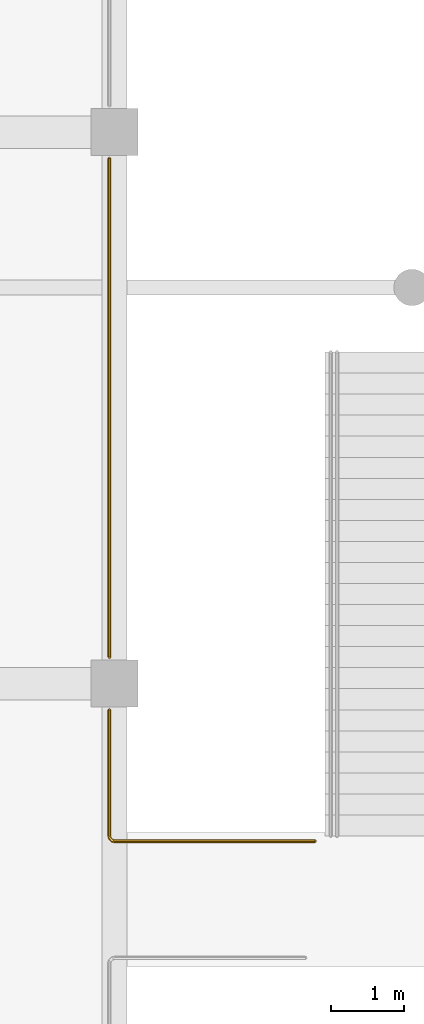
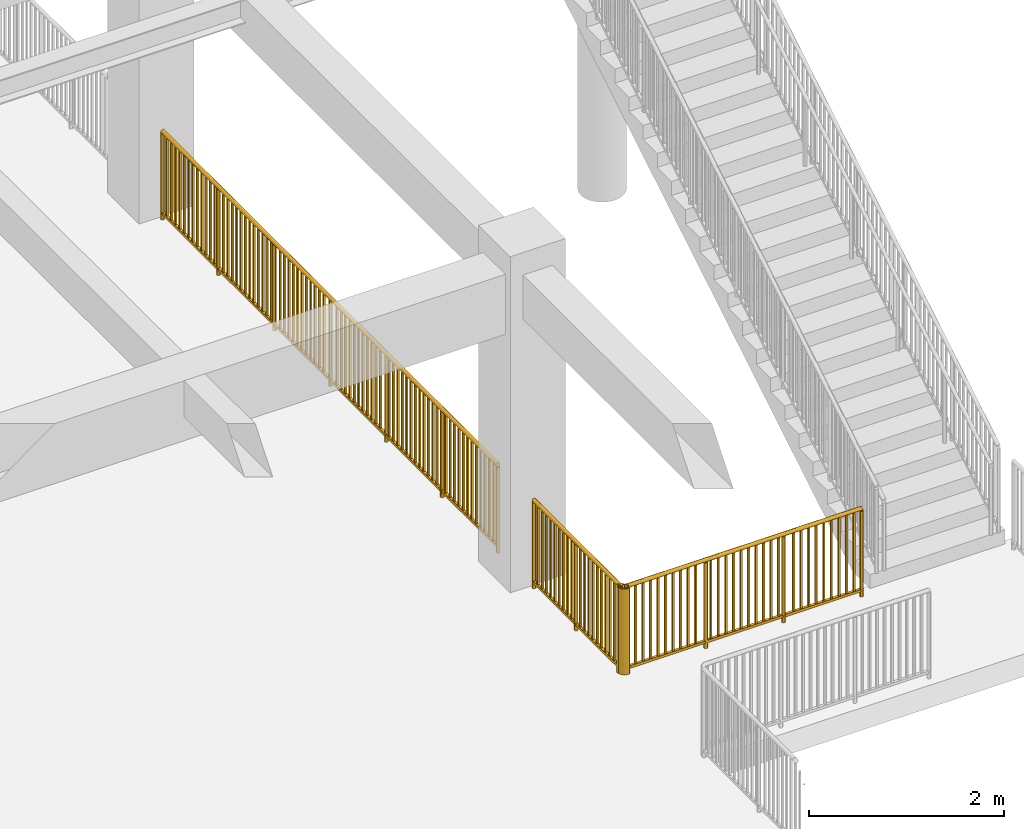
# One storey, part 59 of 63: 2 railings.
"""IFC4 building model written with IfcOpenShell, lengths in metres."""

from ifc_helpers import new_model, si_unit, direction, frame, origin, origin_2d, place, context, subcontext, project, spatial, rectangle, circle, extrude, material, type_object, element, save


model = new_model("IFC4")

# Units and contexts
model_context = context("Model", 3, precision=1e-05, world=origin(), true_north=direction((0.0, 1.0)))
body_context = subcontext(model_context, "Body", "Model", "MODEL_VIEW")
ifc_project = project(units=[si_unit("LENGTHUNIT", "METRE"), si_unit("AREAUNIT", "SQUARE_METRE"), si_unit("VOLUMEUNIT", "CUBIC_METRE"), si_unit("PLANEANGLEUNIT", "RADIAN"), si_unit("MASSUNIT", "GRAM", prefix="KILO")], contexts=[model_context])

# Site, building, storey
site_placement = place(None, origin())
site = spatial("IfcSite", under=ifc_project, at=site_placement, CompositionType="ELEMENT")
building_placement = place(site_placement, origin())
building = spatial("IfcBuilding", under=site, at=building_placement, Name="Zantavel Square City Hall", CompositionType="ELEMENT")
storey_placement = place(building_placement, frame((0.0, 0.0, 14.699951171875)))
storey = spatial("IfcBuildingStorey", under=building, at=storey_placement, Name="L04", CompositionType="ELEMENT", Elevation=14.699951171875)

# Railings
ifc_material = material(Name="Steel ASTM A500 Grade B", Category="steel")
railing_type = type_object("IfcRailingType", Name="Classical Stone & Steel Terrace Balustrade 1100mm", PredefinedType="BALUSTRADE", material=ifc_material)
railing_1_placement = place(storey_placement, frame((111.929931640625, 52.8349609375, 0.0)))
element("IfcRailing", 1, at=railing_1_placement, inside=storey, type_object=railing_type, Name="L04 Terrace Balustrade 044", PredefinedType="BALUSTRADE", context=body_context, shape_type="SweptSolid", body=[
    extrude(circle(Radius=0.02392578125, at=origin_2d()), frame((0.0, 0.0, 1.09619140625), z_axis=(0.0, -1.0, 0.0), x_axis=(1.0, 0.0, 0.0)), (0.0, 0.0, 1.0), 1.73486328125),
    extrude(rectangle(XDim=0.031982421875, YDim=0.031982421875, at=origin_2d()), frame((0.0, 0.0, 0.080078125), z_axis=(0.0, -1.0, 0.0), x_axis=(1.0, 0.0, 0.0)), (0.0, 0.0, 1.0), 1.73486328125),
    extrude(rectangle(XDim=0.02197265625, YDim=0.02197265625, at=origin_2d()), frame((0.0, -0.086669921875, 0.080078125)), (0.0, 0.0, 1.0), 0.991943359375),
    extrude(rectangle(XDim=0.02197265625, YDim=0.02197265625, at=origin_2d()), frame((0.0, -0.173583984375, 0.080078125)), (0.0, 0.0, 1.0), 0.991943359375),
    extrude(rectangle(XDim=0.02197265625, YDim=0.02197265625, at=origin_2d()), frame((0.0, -0.26025390625, 0.080078125)), (0.0, 0.0, 1.0), 0.991943359375),
    extrude(rectangle(XDim=0.02197265625, YDim=0.02197265625, at=origin_2d()), frame((0.0, -0.346923828125, 0.080078125)), (0.0, 0.0, 1.0), 0.991943359375),
    extrude(rectangle(XDim=0.02197265625, YDim=0.02197265625, at=origin_2d()), frame((0.0, -0.43359375, 0.080078125)), (0.0, 0.0, 1.0), 0.991943359375),
    extrude(rectangle(XDim=0.02197265625, YDim=0.02197265625, at=origin_2d()), frame((0.0, -0.5205078125, 0.080078125)), (0.0, 0.0, 1.0), 0.991943359375),
    extrude(rectangle(XDim=0.02197265625, YDim=0.02197265625, at=origin_2d()), frame((0.0, -0.607177734375, 0.080078125)), (0.0, 0.0, 1.0), 0.991943359375),
    extrude(rectangle(XDim=0.02197265625, YDim=0.02197265625, at=origin_2d()), frame((0.0, -0.69384765625, 0.080078125)), (0.0, 0.0, 1.0), 0.991943359375),
    extrude(rectangle(XDim=0.02197265625, YDim=0.02197265625, at=origin_2d()), frame((0.0, -0.78076171875, 0.080078125)), (0.0, 0.0, 1.0), 0.991943359375),
    extrude(rectangle(XDim=0.02197265625, YDim=0.02197265625, at=origin_2d()), frame((0.0, -0.9541015625, 0.080078125)), (0.0, 0.0, 1.0), 0.991943359375),
    extrude(rectangle(XDim=0.02197265625, YDim=0.02197265625, at=origin_2d()), frame((0.0, -1.041015625, 0.080078125)), (0.0, 0.0, 1.0), 0.991943359375),
    extrude(rectangle(XDim=0.02197265625, YDim=0.02197265625, at=origin_2d()), frame((0.0, -1.127685546875, 0.080078125)), (0.0, 0.0, 1.0), 0.991943359375),
    extrude(rectangle(XDim=0.02197265625, YDim=0.02197265625, at=origin_2d()), frame((0.0, -1.21435546875, 0.080078125)), (0.0, 0.0, 1.0), 0.991943359375),
    extrude(rectangle(XDim=0.02197265625, YDim=0.02197265625, at=origin_2d()), frame((0.0, -1.30126953125, 0.080078125)), (0.0, 0.0, 1.0), 0.991943359375),
    extrude(rectangle(XDim=0.02197265625, YDim=0.02197265625, at=origin_2d()), frame((0.0, -1.387939453125, 0.080078125)), (0.0, 0.0, 1.0), 0.991943359375),
    extrude(rectangle(XDim=0.02197265625, YDim=0.02197265625, at=origin_2d()), frame((0.0, -1.474609375, 0.080078125)), (0.0, 0.0, 1.0), 0.991943359375),
    extrude(rectangle(XDim=0.02197265625, YDim=0.02197265625, at=origin_2d()), frame((0.0, -1.561279296875, 0.080078125)), (0.0, 0.0, 1.0), 0.991943359375),
    extrude(rectangle(XDim=0.02197265625, YDim=0.02197265625, at=origin_2d()), frame((0.0, -1.648193359375, 0.080078125)), (0.0, 0.0, 1.0), 0.991943359375),
    extrude(circle(Radius=0.02392578125, at=origin_2d()), frame((0.0, -1.73486328125, 1.09619140625), z_axis=(0.068802091615, -0.997630328423, 0.0), x_axis=(0.997630328423, 0.068802091615, 0.0)), (0.0, 0.0, 1.0), 0.007080078125),
    extrude(rectangle(XDim=0.031982421875, YDim=0.031982421875, at=origin_2d()), frame((0.0, -1.73486328125, 0.080078125), z_axis=(0.068802091615, -0.997630328423, 0.0), x_axis=(0.997630328423, 0.068802091615, 0.0)), (0.0, 0.0, 1.0), 0.007080078125),
    extrude(circle(Radius=0.02392578125, at=origin_2d()), frame((0.00048828125, -1.741943359375, 1.09619140625), z_axis=(0.141421356237, -0.989949493661, 0.0), x_axis=(0.989949493661, 0.141421356237, 0.0)), (0.0, 0.0, 1.0), 0.0068359375),
    extrude(rectangle(XDim=0.031982421875, YDim=0.031982421875, at=origin_2d()), frame((0.00048828125, -1.741943359375, 0.080078125), z_axis=(0.141421356237, -0.989949493661, 0.0), x_axis=(0.989949493661, 0.141421356237, 0.0)), (0.0, 0.0, 1.0), 0.0068359375),
    extrude(circle(Radius=0.02392578125, at=origin_2d()), frame((0.00146484375, -1.748779296875, 1.09619140625), z_axis=(0.250962158784, -0.967996898166, 0.0), x_axis=(0.967996898166, 0.250962158784, 0.0)), (0.0, 0.0, 1.0), 0.0068359375),
    extrude(rectangle(XDim=0.031982421875, YDim=0.031982421875, at=origin_2d()), frame((0.00146484375, -1.748779296875, 0.080078125), z_axis=(0.250962158784, -0.967996898166, 0.0), x_axis=(0.967996898166, 0.250962158784, 0.0)), (0.0, 0.0, 1.0), 0.0068359375),
    extrude(circle(Radius=0.02392578125, at=origin_2d()), frame((0.003173828125, -1.75537109375, 1.09619140625), z_axis=(0.327110563883, -0.94498607344, 0.0), x_axis=(0.94498607344, 0.327110563883, 0.0)), (0.0, 0.0, 1.0), 0.0068359375),
    extrude(rectangle(XDim=0.031982421875, YDim=0.031982421875, at=origin_2d()), frame((0.003173828125, -1.75537109375, 0.080078125), z_axis=(0.327110563883, -0.94498607344, 0.0), x_axis=(0.94498607344, 0.327110563883, 0.0)), (0.0, 0.0, 1.0), 0.0068359375),
    extrude(circle(Radius=0.02392578125, at=origin_2d()), frame((0.00537109375, -1.76171875, 1.09619140625), z_axis=(0.419058177462, -0.9079593845, 0.0), x_axis=(0.9079593845, 0.419058177462, 0.0)), (0.0, 0.0, 1.0), 0.007080078125),
    extrude(rectangle(XDim=0.031982421875, YDim=0.031982421875, at=origin_2d()), frame((0.00537109375, -1.76171875, 0.080078125), z_axis=(0.419058177462, -0.9079593845, 0.0), x_axis=(0.9079593845, 0.419058177462, 0.0)), (0.0, 0.0, 1.0), 0.007080078125),
    extrude(circle(Radius=0.02392578125, at=origin_2d()), frame((0.00830078125, -1.76806640625, 1.09619140625), z_axis=(0.529998940003, -0.847998304005, 0.0), x_axis=(0.847998304005, 0.529998940003, 0.0)), (0.0, 0.0, 1.0), 0.0068359375),
    extrude(rectangle(XDim=0.031982421875, YDim=0.031982421875, at=origin_2d()), frame((0.00830078125, -1.76806640625, 0.080078125), z_axis=(0.529998940003, -0.847998304005, 0.0), x_axis=(0.847998304005, 0.529998940003, 0.0)), (0.0, 0.0, 1.0), 0.0068359375),
    extrude(circle(Radius=0.02392578125, at=origin_2d()), frame((0.011962890625, -1.77392578125, 1.09619140625), z_axis=(0.588171697675, -0.808736084303, 0.0), x_axis=(0.808736084303, 0.588171697675, 0.0)), (0.0, 0.0, 1.0), 0.006591796875),
    extrude(rectangle(XDim=0.031982421875, YDim=0.031982421875, at=origin_2d()), frame((0.011962890625, -1.77392578125, 0.080078125), z_axis=(0.588171697675, -0.808736084303, 0.0), x_axis=(0.808736084303, 0.588171697675, 0.0)), (0.0, 0.0, 1.0), 0.006591796875),
    extrude(circle(Radius=0.02392578125, at=origin_2d()), frame((0.015869140625, -1.779296875, 1.09619140625), z_axis=(0.670913323969, -0.741535779124, 0.0), x_axis=(0.741535779124, 0.670913323969, 0.0)), (0.0, 0.0, 1.0), 0.0068359375),
    extrude(rectangle(XDim=0.031982421875, YDim=0.031982421875, at=origin_2d()), frame((0.015869140625, -1.779296875, 0.080078125), z_axis=(0.670913323969, -0.741535779124, 0.0), x_axis=(0.741535779124, 0.670913323969, 0.0)), (0.0, 0.0, 1.0), 0.0068359375),
    extrude(circle(Radius=0.02392578125, at=origin_2d()), frame((0.0205078125, -1.784423828125, 1.09619140625), z_axis=(0.741535779124, -0.670913323969, 0.0), x_axis=(0.670913323969, 0.741535779124, 0.0)), (0.0, 0.0, 1.0), 0.0068359375),
    extrude(rectangle(XDim=0.031982421875, YDim=0.031982421875, at=origin_2d()), frame((0.0205078125, -1.784423828125, 0.080078125), z_axis=(0.741535779124, -0.670913323969, 0.0), x_axis=(0.670913323969, 0.741535779124, 0.0)), (0.0, 0.0, 1.0), 0.0068359375),
    extrude(circle(Radius=0.02392578125, at=origin_2d()), frame((0.025634765625, -1.7890625, 1.09619140625), z_axis=(0.804176141466, -0.594391061084, 0.0), x_axis=(0.594391061084, 0.804176141466, 0.0)), (0.0, 0.0, 1.0), 0.007080078125),
    extrude(rectangle(XDim=0.031982421875, YDim=0.031982421875, at=origin_2d()), frame((0.025634765625, -1.7890625, 0.080078125), z_axis=(0.804176141466, -0.594391061084, 0.0), x_axis=(0.594391061084, 0.804176141466, 0.0)), (0.0, 0.0, 1.0), 0.007080078125),
    extrude(circle(Radius=0.02392578125, at=origin_2d()), frame((0.03125, -1.793212890625, 1.09619140625), z_axis=(0.863778900898, -0.503871025524, 0.0), x_axis=(0.503871025524, 0.863778900898, 0.0)), (0.0, 0.0, 1.0), 0.0068359375),
    extrude(rectangle(XDim=0.031982421875, YDim=0.031982421875, at=origin_2d()), frame((0.03125, -1.793212890625, 0.080078125), z_axis=(0.863778900898, -0.503871025524, 0.0), x_axis=(0.503871025524, 0.863778900898, 0.0)), (0.0, 0.0, 1.0), 0.0068359375),
    extrude(circle(Radius=0.02392578125, at=origin_2d()), frame((0.037109375, -1.796630859375, 1.09619140625), z_axis=(0.901523057468, -0.432731067585, 0.0), x_axis=(0.432731067585, 0.901523057468, 0.0)), (0.0, 0.0, 1.0), 0.0068359375),
    extrude(rectangle(XDim=0.031982421875, YDim=0.031982421875, at=origin_2d()), frame((0.037109375, -1.796630859375, 0.080078125), z_axis=(0.901523057468, -0.432731067585, 0.0), x_axis=(0.432731067585, 0.901523057468, 0.0)), (0.0, 0.0, 1.0), 0.0068359375),
    extrude(circle(Radius=0.02392578125, at=origin_2d()), frame((0.043212890625, -1.799560546875, 1.09619140625), z_axis=(0.937748760724, -0.347314355824, 0.0), x_axis=(0.347314355824, 0.937748760724, 0.0)), (0.0, 0.0, 1.0), 0.007080078125),
    extrude(rectangle(XDim=0.031982421875, YDim=0.031982421875, at=origin_2d()), frame((0.043212890625, -1.799560546875, 0.080078125), z_axis=(0.937748760724, -0.347314355824, 0.0), x_axis=(0.347314355824, 0.937748760724, 0.0)), (0.0, 0.0, 1.0), 0.007080078125),
    extrude(circle(Radius=0.02392578125, at=origin_2d()), frame((0.0498046875, -1.802001953125, 1.09619140625), z_axis=(0.967996898166, -0.250962158784, 0.0), x_axis=(0.250962158784, 0.967996898166, 0.0)), (0.0, 0.0, 1.0), 0.0068359375),
    extrude(rectangle(XDim=0.031982421875, YDim=0.031982421875, at=origin_2d()), frame((0.0498046875, -1.802001953125, 0.080078125), z_axis=(0.967996898166, -0.250962158784, 0.0), x_axis=(0.250962158784, 0.967996898166, 0.0)), (0.0, 0.0, 1.0), 0.0068359375),
    extrude(circle(Radius=0.02392578125, at=origin_2d()), frame((0.056396484375, -1.8037109375, 1.09619140625), z_axis=(0.989949493661, -0.141421356237, 0.0), x_axis=(0.141421356237, 0.989949493661, 0.0)), (0.0, 0.0, 1.0), 0.0068359375),
    extrude(rectangle(XDim=0.031982421875, YDim=0.031982421875, at=origin_2d()), frame((0.056396484375, -1.8037109375, 0.080078125), z_axis=(0.989949493661, -0.141421356237, 0.0), x_axis=(0.141421356237, 0.989949493661, 0.0)), (0.0, 0.0, 1.0), 0.0068359375),
    extrude(circle(Radius=0.02392578125, at=origin_2d()), frame((0.063232421875, -1.8046875, 1.09619140625), z_axis=(0.999362854348, -0.035691530512, 0.0), x_axis=(0.035691530512, 0.999362854348, 0.0)), (0.0, 0.0, 1.0), 0.0068359375),
    extrude(rectangle(XDim=0.031982421875, YDim=0.031982421875, at=origin_2d()), frame((0.063232421875, -1.8046875, 0.080078125), z_axis=(0.999362854348, -0.035691530512, 0.0), x_axis=(0.035691530512, 0.999362854348, 0.0)), (0.0, 0.0, 1.0), 0.0068359375),
    extrude(circle(Radius=0.02392578125, at=origin_2d()), frame((0.070068359375, -1.804931640625, 1.09619140625), z_axis=(1.0, 0.0, 0.0), x_axis=(0.0, 1.0, 0.0)), (0.0, 0.0, 1.0), 2.760009765625),
    extrude(rectangle(XDim=0.031982421875, YDim=0.031982421875, at=origin_2d()), frame((0.070068359375, -1.804931640625, 0.080078125), z_axis=(1.0, 0.0, 0.0), x_axis=(0.0, 1.0, 0.0)), (0.0, 0.0, 1.0), 2.760009765625),
    extrude(rectangle(XDim=0.02197265625, YDim=0.02197265625, at=origin_2d()), frame((0.1591796875, -1.804931640625, 0.080078125)), (0.0, 0.0, 1.0), 0.991943359375),
    extrude(rectangle(XDim=0.02197265625, YDim=0.02197265625, at=origin_2d()), frame((0.248046875, -1.804931640625, 0.080078125)), (0.0, 0.0, 1.0), 0.991943359375),
    extrude(rectangle(XDim=0.02197265625, YDim=0.02197265625, at=origin_2d()), frame((0.337158203125, -1.804931640625, 0.080078125)), (0.0, 0.0, 1.0), 0.991943359375),
    extrude(rectangle(XDim=0.02197265625, YDim=0.02197265625, at=origin_2d()), frame((0.42626953125, -1.804931640625, 0.080078125)), (0.0, 0.0, 1.0), 0.991943359375),
    extrude(rectangle(XDim=0.02197265625, YDim=0.02197265625, at=origin_2d()), frame((0.51513671875, -1.804931640625, 0.080078125)), (0.0, 0.0, 1.0), 0.991943359375),
    extrude(rectangle(XDim=0.02197265625, YDim=0.02197265625, at=origin_2d()), frame((0.604248046875, -1.804931640625, 0.080078125)), (0.0, 0.0, 1.0), 0.991943359375),
    extrude(rectangle(XDim=0.02197265625, YDim=0.02197265625, at=origin_2d()), frame((0.693359375, -1.804931640625, 0.080078125)), (0.0, 0.0, 1.0), 0.991943359375),
    extrude(rectangle(XDim=0.02197265625, YDim=0.02197265625, at=origin_2d()), frame((0.7822265625, -1.804931640625, 0.080078125)), (0.0, 0.0, 1.0), 0.991943359375),
    extrude(rectangle(XDim=0.02197265625, YDim=0.02197265625, at=origin_2d()), frame((0.871337890625, -1.804931640625, 0.080078125)), (0.0, 0.0, 1.0), 0.991943359375),
    extrude(rectangle(XDim=0.02197265625, YDim=0.02197265625, at=origin_2d()), frame((1.04931640625, -1.804931640625, 0.080078125)), (0.0, 0.0, 1.0), 0.991943359375),
    extrude(rectangle(XDim=0.02197265625, YDim=0.02197265625, at=origin_2d()), frame((1.138427734375, -1.804931640625, 0.080078125)), (0.0, 0.0, 1.0), 0.991943359375),
    extrude(rectangle(XDim=0.02197265625, YDim=0.02197265625, at=origin_2d()), frame((1.2275390625, -1.804931640625, 0.080078125)), (0.0, 0.0, 1.0), 0.991943359375),
    extrude(rectangle(XDim=0.02197265625, YDim=0.02197265625, at=origin_2d()), frame((1.31640625, -1.804931640625, 0.080078125)), (0.0, 0.0, 1.0), 0.991943359375),
    extrude(rectangle(XDim=0.02197265625, YDim=0.02197265625, at=origin_2d()), frame((1.405517578125, -1.804931640625, 0.080078125)), (0.0, 0.0, 1.0), 0.991943359375),
    extrude(rectangle(XDim=0.02197265625, YDim=0.02197265625, at=origin_2d()), frame((1.49462890625, -1.804931640625, 0.080078125)), (0.0, 0.0, 1.0), 0.991943359375),
    extrude(rectangle(XDim=0.02197265625, YDim=0.02197265625, at=origin_2d()), frame((1.583740234375, -1.804931640625, 0.080078125)), (0.0, 0.0, 1.0), 0.991943359375),
    extrude(rectangle(XDim=0.02197265625, YDim=0.02197265625, at=origin_2d()), frame((1.672607421875, -1.804931640625, 0.080078125)), (0.0, 0.0, 1.0), 0.991943359375),
    extrude(rectangle(XDim=0.02197265625, YDim=0.02197265625, at=origin_2d()), frame((1.76171875, -1.804931640625, 0.080078125)), (0.0, 0.0, 1.0), 0.991943359375),
    extrude(rectangle(XDim=0.02197265625, YDim=0.02197265625, at=origin_2d()), frame((1.850830078125, -1.804931640625, 0.080078125)), (0.0, 0.0, 1.0), 0.991943359375),
    extrude(rectangle(XDim=0.02197265625, YDim=0.02197265625, at=origin_2d()), frame((2.02880859375, -1.804931640625, 0.080078125)), (0.0, 0.0, 1.0), 0.991943359375),
    extrude(rectangle(XDim=0.02197265625, YDim=0.02197265625, at=origin_2d()), frame((2.117919921875, -1.804931640625, 0.080078125)), (0.0, 0.0, 1.0), 0.991943359375),
    extrude(rectangle(XDim=0.02197265625, YDim=0.02197265625, at=origin_2d()), frame((2.206787109375, -1.804931640625, 0.080078125)), (0.0, 0.0, 1.0), 0.991943359375),
    extrude(rectangle(XDim=0.02197265625, YDim=0.02197265625, at=origin_2d()), frame((2.2958984375, -1.804931640625, 0.080078125)), (0.0, 0.0, 1.0), 0.991943359375),
    extrude(rectangle(XDim=0.02197265625, YDim=0.02197265625, at=origin_2d()), frame((2.385009765625, -1.804931640625, 0.080078125)), (0.0, 0.0, 1.0), 0.991943359375),
    extrude(rectangle(XDim=0.02197265625, YDim=0.02197265625, at=origin_2d()), frame((2.473876953125, -1.804931640625, 0.080078125)), (0.0, 0.0, 1.0), 0.991943359375),
    extrude(rectangle(XDim=0.02197265625, YDim=0.02197265625, at=origin_2d()), frame((2.56298828125, -1.804931640625, 0.080078125)), (0.0, 0.0, 1.0), 0.991943359375),
    extrude(rectangle(XDim=0.02197265625, YDim=0.02197265625, at=origin_2d()), frame((2.652099609375, -1.804931640625, 0.080078125)), (0.0, 0.0, 1.0), 0.991943359375),
    extrude(rectangle(XDim=0.02197265625, YDim=0.02197265625, at=origin_2d()), frame((2.740966796875, -1.804931640625, 0.080078125)), (0.0, 0.0, 1.0), 0.991943359375),
    extrude(circle(Radius=0.02099609375, at=origin_2d()), origin(), (0.0, 0.0, 1.0), 1.072021484375),
    extrude(circle(Radius=0.02099609375, at=origin_2d()), frame((0.0, -0.867431640625, 0.0)), (0.0, 0.0, 1.0), 1.072021484375),
    extrude(circle(Radius=0.02099609375, at=origin_2d()), frame((0.0, -1.73486328125, 0.0)), (0.0, 0.0, 1.0), 1.072021484375),
    extrude(circle(Radius=0.02099609375, at=origin_2d()), frame((0.00048828125, -1.741943359375, 0.0)), (0.0, 0.0, 1.0), 1.072021484375),
    extrude(circle(Radius=0.02099609375, at=origin_2d()), frame((0.00146484375, -1.748779296875, 0.0)), (0.0, 0.0, 1.0), 1.072021484375),
    extrude(circle(Radius=0.02099609375, at=origin_2d()), frame((0.003173828125, -1.75537109375, 0.0)), (0.0, 0.0, 1.0), 1.072021484375),
    extrude(circle(Radius=0.02099609375, at=origin_2d()), frame((0.00537109375, -1.76171875, 0.0)), (0.0, 0.0, 1.0), 1.072021484375),
    extrude(circle(Radius=0.02099609375, at=origin_2d()), frame((0.00830078125, -1.76806640625, 0.0)), (0.0, 0.0, 1.0), 1.072021484375),
    extrude(circle(Radius=0.02099609375, at=origin_2d()), frame((0.011962890625, -1.77392578125, 0.0)), (0.0, 0.0, 1.0), 1.072021484375),
    extrude(circle(Radius=0.02099609375, at=origin_2d()), frame((0.015869140625, -1.779296875, 0.0)), (0.0, 0.0, 1.0), 1.072021484375),
    extrude(circle(Radius=0.02099609375, at=origin_2d()), frame((0.0205078125, -1.784423828125, 0.0)), (0.0, 0.0, 1.0), 1.072021484375),
    extrude(circle(Radius=0.02099609375, at=origin_2d()), frame((0.025634765625, -1.7890625, 0.0)), (0.0, 0.0, 1.0), 1.072021484375),
    extrude(circle(Radius=0.02099609375, at=origin_2d()), frame((0.03125, -1.793212890625, 0.0)), (0.0, 0.0, 1.0), 1.072021484375),
    extrude(circle(Radius=0.02099609375, at=origin_2d()), frame((0.037109375, -1.796630859375, 0.0)), (0.0, 0.0, 1.0), 1.072021484375),
    extrude(circle(Radius=0.02099609375, at=origin_2d()), frame((0.043212890625, -1.799560546875, 0.0)), (0.0, 0.0, 1.0), 1.072021484375),
    extrude(circle(Radius=0.02099609375, at=origin_2d()), frame((0.0498046875, -1.802001953125, 0.0)), (0.0, 0.0, 1.0), 1.072021484375),
    extrude(circle(Radius=0.02099609375, at=origin_2d()), frame((0.056396484375, -1.8037109375, 0.0)), (0.0, 0.0, 1.0), 1.072021484375),
    extrude(circle(Radius=0.02099609375, at=origin_2d()), frame((0.063232421875, -1.8046875, 0.0)), (0.0, 0.0, 1.0), 1.072021484375),
    extrude(circle(Radius=0.02099609375, at=origin_2d()), frame((0.070068359375, -1.804931640625, 0.0)), (0.0, 0.0, 1.0), 1.072021484375),
    extrude(circle(Radius=0.02099609375, at=origin_2d()), frame((0.989990234375, -1.804931640625, 0.0)), (0.0, 0.0, 1.0), 1.072021484375),
    extrude(circle(Radius=0.02099609375, at=origin_2d()), frame((1.91015625, -1.804931640625, 0.0)), (0.0, 0.0, 1.0), 1.072021484375),
    extrude(circle(Radius=0.02099609375, at=origin_2d()), frame((2.830078125, -1.804931640625, 0.0)), (0.0, 0.0, 1.0), 1.072021484375),
])
railing_2_placement = place(storey_placement, frame((111.929931640625, 60.43505859375, 0.0)))
element("IfcRailing", 2, at=railing_2_placement, inside=storey, type_object=railing_type, Name="L04 Terrace Balustrade 045", PredefinedType="BALUSTRADE", context=body_context, shape_type="SweptSolid", body=[
    extrude(circle(Radius=0.02392578125, at=origin_2d()), frame((0.0, 0.0, 1.09619140625), z_axis=(0.0, -1.0, 0.0), x_axis=(1.0, 0.0, 0.0)), (0.0, 0.0, 1.0), 6.8701171875),
    extrude(rectangle(XDim=0.031982421875, YDim=0.031982421875, at=origin_2d()), frame((0.0, 0.0, 0.080078125), z_axis=(0.0, -1.0, 0.0), x_axis=(1.0, 0.0, 0.0)), (0.0, 0.0, 1.0), 6.8701171875),
    extrude(rectangle(XDim=0.02197265625, YDim=0.02197265625, at=origin_2d()), frame((0.0, -0.089111328125, 0.080078125)), (0.0, 0.0, 1.0), 0.991943359375),
    extrude(rectangle(XDim=0.02197265625, YDim=0.02197265625, at=origin_2d()), frame((0.0, -0.178466796875, 0.080078125)), (0.0, 0.0, 1.0), 0.991943359375),
    extrude(rectangle(XDim=0.02197265625, YDim=0.02197265625, at=origin_2d()), frame((0.0, -0.267578125, 0.080078125)), (0.0, 0.0, 1.0), 0.991943359375),
    extrude(rectangle(XDim=0.02197265625, YDim=0.02197265625, at=origin_2d()), frame((0.0, -0.35693359375, 0.080078125)), (0.0, 0.0, 1.0), 0.991943359375),
    extrude(rectangle(XDim=0.02197265625, YDim=0.02197265625, at=origin_2d()), frame((0.0, -0.446044921875, 0.080078125)), (0.0, 0.0, 1.0), 0.991943359375),
    extrude(rectangle(XDim=0.02197265625, YDim=0.02197265625, at=origin_2d()), frame((0.0, -0.535400390625, 0.080078125)), (0.0, 0.0, 1.0), 0.991943359375),
    extrude(rectangle(XDim=0.02197265625, YDim=0.02197265625, at=origin_2d()), frame((0.0, -0.62451171875, 0.080078125)), (0.0, 0.0, 1.0), 0.991943359375),
    extrude(rectangle(XDim=0.02197265625, YDim=0.02197265625, at=origin_2d()), frame((0.0, -0.7138671875, 0.080078125)), (0.0, 0.0, 1.0), 0.991943359375),
    extrude(rectangle(XDim=0.02197265625, YDim=0.02197265625, at=origin_2d()), frame((0.0, -0.802978515625, 0.080078125)), (0.0, 0.0, 1.0), 0.991943359375),
    extrude(rectangle(XDim=0.02197265625, YDim=0.02197265625, at=origin_2d()), frame((0.0, -0.892333984375, 0.080078125)), (0.0, 0.0, 1.0), 0.991943359375),
    extrude(rectangle(XDim=0.02197265625, YDim=0.02197265625, at=origin_2d()), frame((0.0, -0.9814453125, 0.080078125)), (0.0, 0.0, 1.0), 0.991943359375),
    extrude(rectangle(XDim=0.02197265625, YDim=0.02197265625, at=origin_2d()), frame((0.0, -1.070556640625, 0.080078125)), (0.0, 0.0, 1.0), 0.991943359375),
    extrude(rectangle(XDim=0.02197265625, YDim=0.02197265625, at=origin_2d()), frame((0.0, -1.2490234375, 0.080078125)), (0.0, 0.0, 1.0), 0.991943359375),
    extrude(rectangle(XDim=0.02197265625, YDim=0.02197265625, at=origin_2d()), frame((0.0, -1.33837890625, 0.080078125)), (0.0, 0.0, 1.0), 0.991943359375),
    extrude(rectangle(XDim=0.02197265625, YDim=0.02197265625, at=origin_2d()), frame((0.0, -1.427490234375, 0.080078125)), (0.0, 0.0, 1.0), 0.991943359375),
    extrude(rectangle(XDim=0.02197265625, YDim=0.02197265625, at=origin_2d()), frame((0.0, -1.516845703125, 0.080078125)), (0.0, 0.0, 1.0), 0.991943359375),
    extrude(rectangle(XDim=0.02197265625, YDim=0.02197265625, at=origin_2d()), frame((0.0, -1.60595703125, 0.080078125)), (0.0, 0.0, 1.0), 0.991943359375),
    extrude(rectangle(XDim=0.02197265625, YDim=0.02197265625, at=origin_2d()), frame((0.0, -1.6953125, 0.080078125)), (0.0, 0.0, 1.0), 0.991943359375),
    extrude(rectangle(XDim=0.02197265625, YDim=0.02197265625, at=origin_2d()), frame((0.0, -1.784423828125, 0.080078125)), (0.0, 0.0, 1.0), 0.991943359375),
    extrude(rectangle(XDim=0.02197265625, YDim=0.02197265625, at=origin_2d()), frame((0.0, -1.873779296875, 0.080078125)), (0.0, 0.0, 1.0), 0.991943359375),
    extrude(rectangle(XDim=0.02197265625, YDim=0.02197265625, at=origin_2d()), frame((0.0, -1.962890625, 0.080078125)), (0.0, 0.0, 1.0), 0.991943359375),
    extrude(rectangle(XDim=0.02197265625, YDim=0.02197265625, at=origin_2d()), frame((0.0, -2.052001953125, 0.080078125)), (0.0, 0.0, 1.0), 0.991943359375),
    extrude(rectangle(XDim=0.02197265625, YDim=0.02197265625, at=origin_2d()), frame((0.0, -2.141357421875, 0.080078125)), (0.0, 0.0, 1.0), 0.991943359375),
    extrude(rectangle(XDim=0.02197265625, YDim=0.02197265625, at=origin_2d()), frame((0.0, -2.23046875, 0.080078125)), (0.0, 0.0, 1.0), 0.991943359375),
    extrude(rectangle(XDim=0.02197265625, YDim=0.02197265625, at=origin_2d()), frame((0.0, -2.408935546875, 0.080078125)), (0.0, 0.0, 1.0), 0.991943359375),
    extrude(rectangle(XDim=0.02197265625, YDim=0.02197265625, at=origin_2d()), frame((0.0, -2.498291015625, 0.080078125)), (0.0, 0.0, 1.0), 0.991943359375),
    extrude(rectangle(XDim=0.02197265625, YDim=0.02197265625, at=origin_2d()), frame((0.0, -2.58740234375, 0.080078125)), (0.0, 0.0, 1.0), 0.991943359375),
    extrude(rectangle(XDim=0.02197265625, YDim=0.02197265625, at=origin_2d()), frame((0.0, -2.6767578125, 0.080078125)), (0.0, 0.0, 1.0), 0.991943359375),
    extrude(rectangle(XDim=0.02197265625, YDim=0.02197265625, at=origin_2d()), frame((0.0, -2.765869140625, 0.080078125)), (0.0, 0.0, 1.0), 0.991943359375),
    extrude(rectangle(XDim=0.02197265625, YDim=0.02197265625, at=origin_2d()), frame((0.0, -2.855224609375, 0.080078125)), (0.0, 0.0, 1.0), 0.991943359375),
    extrude(rectangle(XDim=0.02197265625, YDim=0.02197265625, at=origin_2d()), frame((0.0, -2.9443359375, 0.080078125)), (0.0, 0.0, 1.0), 0.991943359375),
    extrude(rectangle(XDim=0.02197265625, YDim=0.02197265625, at=origin_2d()), frame((0.0, -3.033447265625, 0.080078125)), (0.0, 0.0, 1.0), 0.991943359375),
    extrude(rectangle(XDim=0.02197265625, YDim=0.02197265625, at=origin_2d()), frame((0.0, -3.122802734375, 0.080078125)), (0.0, 0.0, 1.0), 0.991943359375),
    extrude(rectangle(XDim=0.02197265625, YDim=0.02197265625, at=origin_2d()), frame((0.0, -3.2119140625, 0.080078125)), (0.0, 0.0, 1.0), 0.991943359375),
    extrude(rectangle(XDim=0.02197265625, YDim=0.02197265625, at=origin_2d()), frame((0.0, -3.30126953125, 0.080078125)), (0.0, 0.0, 1.0), 0.991943359375),
    extrude(rectangle(XDim=0.02197265625, YDim=0.02197265625, at=origin_2d()), frame((0.0, -3.56884765625, 0.080078125)), (0.0, 0.0, 1.0), 0.991943359375),
    extrude(rectangle(XDim=0.02197265625, YDim=0.02197265625, at=origin_2d()), frame((0.0, -3.658203125, 0.080078125)), (0.0, 0.0, 1.0), 0.991943359375),
    extrude(rectangle(XDim=0.02197265625, YDim=0.02197265625, at=origin_2d()), frame((0.0, -3.747314453125, 0.080078125)), (0.0, 0.0, 1.0), 0.991943359375),
    extrude(rectangle(XDim=0.02197265625, YDim=0.02197265625, at=origin_2d()), frame((0.0, -3.836669921875, 0.080078125)), (0.0, 0.0, 1.0), 0.991943359375),
    extrude(rectangle(XDim=0.02197265625, YDim=0.02197265625, at=origin_2d()), frame((0.0, -3.92578125, 0.080078125)), (0.0, 0.0, 1.0), 0.991943359375),
    extrude(rectangle(XDim=0.02197265625, YDim=0.02197265625, at=origin_2d()), frame((0.0, -4.014892578125, 0.080078125)), (0.0, 0.0, 1.0), 0.991943359375),
    extrude(rectangle(XDim=0.02197265625, YDim=0.02197265625, at=origin_2d()), frame((0.0, -4.104248046875, 0.080078125)), (0.0, 0.0, 1.0), 0.991943359375),
    extrude(rectangle(XDim=0.02197265625, YDim=0.02197265625, at=origin_2d()), frame((0.0, -4.193359375, 0.080078125)), (0.0, 0.0, 1.0), 0.991943359375),
    extrude(rectangle(XDim=0.02197265625, YDim=0.02197265625, at=origin_2d()), frame((0.0, -4.28271484375, 0.080078125)), (0.0, 0.0, 1.0), 0.991943359375),
    extrude(rectangle(XDim=0.02197265625, YDim=0.02197265625, at=origin_2d()), frame((0.0, -4.371826171875, 0.080078125)), (0.0, 0.0, 1.0), 0.991943359375),
    extrude(rectangle(XDim=0.02197265625, YDim=0.02197265625, at=origin_2d()), frame((0.0, -4.461181640625, 0.080078125)), (0.0, 0.0, 1.0), 0.991943359375),
    extrude(rectangle(XDim=0.02197265625, YDim=0.02197265625, at=origin_2d()), frame((0.0, -4.6396484375, 0.080078125)), (0.0, 0.0, 1.0), 0.991943359375),
    extrude(rectangle(XDim=0.02197265625, YDim=0.02197265625, at=origin_2d()), frame((0.0, -4.728759765625, 0.080078125)), (0.0, 0.0, 1.0), 0.991943359375),
    extrude(rectangle(XDim=0.02197265625, YDim=0.02197265625, at=origin_2d()), frame((0.0, -4.818115234375, 0.080078125)), (0.0, 0.0, 1.0), 0.991943359375),
    extrude(rectangle(XDim=0.02197265625, YDim=0.02197265625, at=origin_2d()), frame((0.0, -4.9072265625, 0.080078125)), (0.0, 0.0, 1.0), 0.991943359375),
    extrude(rectangle(XDim=0.02197265625, YDim=0.02197265625, at=origin_2d()), frame((0.0, -4.996337890625, 0.080078125)), (0.0, 0.0, 1.0), 0.991943359375),
    extrude(rectangle(XDim=0.02197265625, YDim=0.02197265625, at=origin_2d()), frame((0.0, -5.085693359375, 0.080078125)), (0.0, 0.0, 1.0), 0.991943359375),
    extrude(rectangle(XDim=0.02197265625, YDim=0.02197265625, at=origin_2d()), frame((0.0, -5.1748046875, 0.080078125)), (0.0, 0.0, 1.0), 0.991943359375),
    extrude(rectangle(XDim=0.02197265625, YDim=0.02197265625, at=origin_2d()), frame((0.0, -5.26416015625, 0.080078125)), (0.0, 0.0, 1.0), 0.991943359375),
    extrude(rectangle(XDim=0.02197265625, YDim=0.02197265625, at=origin_2d()), frame((0.0, -5.353271484375, 0.080078125)), (0.0, 0.0, 1.0), 0.991943359375),
    extrude(rectangle(XDim=0.02197265625, YDim=0.02197265625, at=origin_2d()), frame((0.0, -5.442626953125, 0.080078125)), (0.0, 0.0, 1.0), 0.991943359375),
    extrude(rectangle(XDim=0.02197265625, YDim=0.02197265625, at=origin_2d()), frame((0.0, -5.53173828125, 0.080078125)), (0.0, 0.0, 1.0), 0.991943359375),
    extrude(rectangle(XDim=0.02197265625, YDim=0.02197265625, at=origin_2d()), frame((0.0, -5.62109375, 0.080078125)), (0.0, 0.0, 1.0), 0.991943359375),
    extrude(rectangle(XDim=0.02197265625, YDim=0.02197265625, at=origin_2d()), frame((0.0, -5.799560546875, 0.080078125)), (0.0, 0.0, 1.0), 0.991943359375),
    extrude(rectangle(XDim=0.02197265625, YDim=0.02197265625, at=origin_2d()), frame((0.0, -5.888671875, 0.080078125)), (0.0, 0.0, 1.0), 0.991943359375),
    extrude(rectangle(XDim=0.02197265625, YDim=0.02197265625, at=origin_2d()), frame((0.0, -5.977783203125, 0.080078125)), (0.0, 0.0, 1.0), 0.991943359375),
    extrude(rectangle(XDim=0.02197265625, YDim=0.02197265625, at=origin_2d()), frame((0.0, -6.067138671875, 0.080078125)), (0.0, 0.0, 1.0), 0.991943359375),
    extrude(rectangle(XDim=0.02197265625, YDim=0.02197265625, at=origin_2d()), frame((0.0, -6.15625, 0.080078125)), (0.0, 0.0, 1.0), 0.991943359375),
    extrude(rectangle(XDim=0.02197265625, YDim=0.02197265625, at=origin_2d()), frame((0.0, -6.24560546875, 0.080078125)), (0.0, 0.0, 1.0), 0.991943359375),
    extrude(rectangle(XDim=0.02197265625, YDim=0.02197265625, at=origin_2d()), frame((0.0, -6.334716796875, 0.080078125)), (0.0, 0.0, 1.0), 0.991943359375),
    extrude(rectangle(XDim=0.02197265625, YDim=0.02197265625, at=origin_2d()), frame((0.0, -6.424072265625, 0.080078125)), (0.0, 0.0, 1.0), 0.991943359375),
    extrude(rectangle(XDim=0.02197265625, YDim=0.02197265625, at=origin_2d()), frame((0.0, -6.51318359375, 0.080078125)), (0.0, 0.0, 1.0), 0.991943359375),
    extrude(rectangle(XDim=0.02197265625, YDim=0.02197265625, at=origin_2d()), frame((0.0, -6.6025390625, 0.080078125)), (0.0, 0.0, 1.0), 0.991943359375),
    extrude(rectangle(XDim=0.02197265625, YDim=0.02197265625, at=origin_2d()), frame((0.0, -6.691650390625, 0.080078125)), (0.0, 0.0, 1.0), 0.991943359375),
    extrude(rectangle(XDim=0.02197265625, YDim=0.02197265625, at=origin_2d()), frame((0.0, -6.781005859375, 0.080078125)), (0.0, 0.0, 1.0), 0.991943359375),
    extrude(circle(Radius=0.02099609375, at=origin_2d()), origin(), (0.0, 0.0, 1.0), 1.072021484375),
    extrude(circle(Radius=0.02099609375, at=origin_2d()), frame((0.0, -1.14501953125, 0.0)), (0.0, 0.0, 1.0), 1.072021484375),
    extrude(circle(Radius=0.02099609375, at=origin_2d()), frame((0.0, -2.2900390625, 0.0)), (0.0, 0.0, 1.0), 1.072021484375),
    extrude(circle(Radius=0.02099609375, at=origin_2d()), frame((0.0, -3.43505859375, 0.0)), (0.0, 0.0, 1.0), 1.072021484375),
    extrude(circle(Radius=0.02099609375, at=origin_2d()), frame((0.0, -4.580078125, 0.0)), (0.0, 0.0, 1.0), 1.072021484375),
    extrude(circle(Radius=0.02099609375, at=origin_2d()), frame((0.0, -5.72509765625, 0.0)), (0.0, 0.0, 1.0), 1.072021484375),
    extrude(circle(Radius=0.02099609375, at=origin_2d()), frame((0.0, -6.8701171875, 0.0)), (0.0, 0.0, 1.0), 1.072021484375),
])

save(model, "model.ifc")
